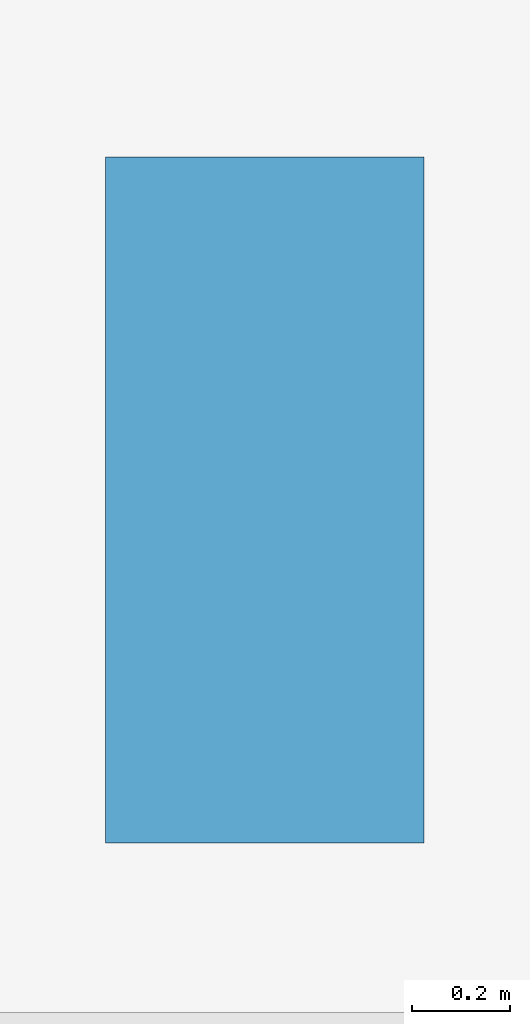
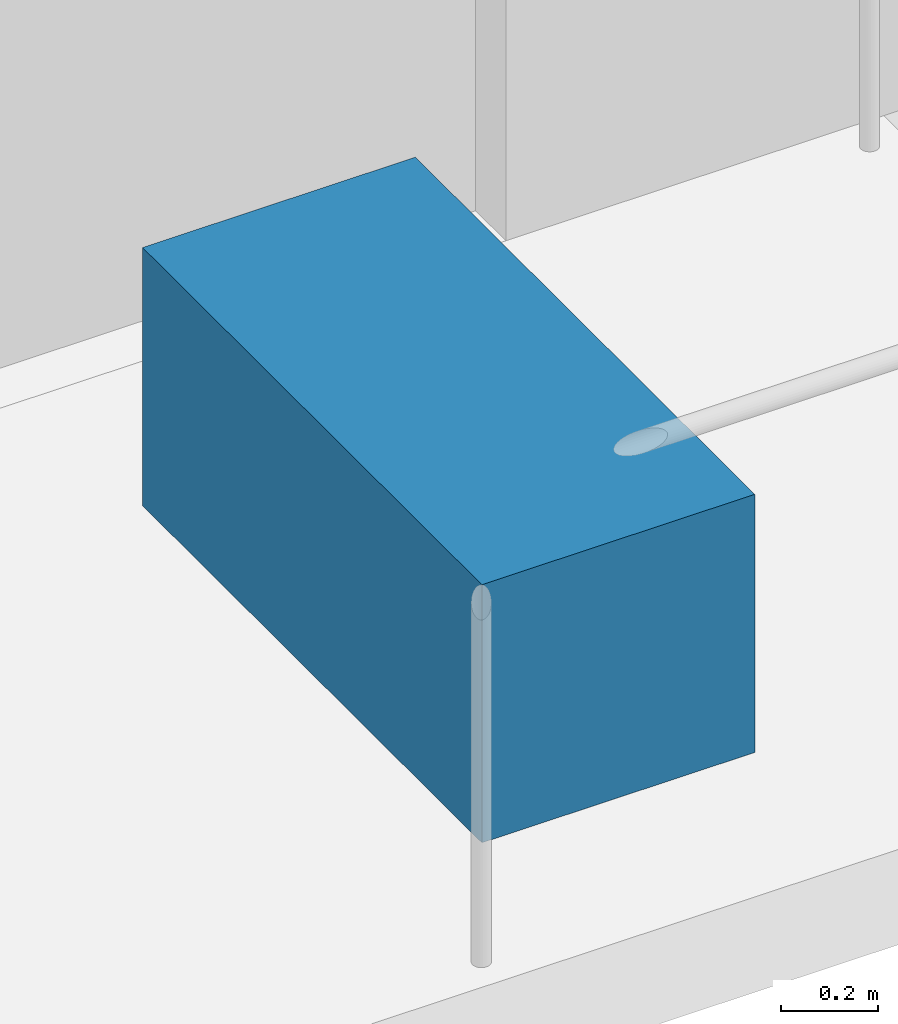
# One storey, part 7 of 10: 1 discrete accessory.
"""IFC4 building model written with IfcOpenShell, lengths in metres."""

from ifc_helpers import new_model, si_unit, direction, frame, origin, origin_2d, place, context, subcontext, project, spatial, rectangle, extrude, source, transform, mapped, material, type_object, element, save


model = new_model("IFC4")

# Units and contexts
model_context = context("Model", 3, precision=1e-05, world=origin(), true_north=direction((0.0, 1.0)))
body_context = subcontext(model_context, "Body", "Model", "MODEL_VIEW")
ifc_project = project(units=[si_unit("LENGTHUNIT", "METRE"), si_unit("AREAUNIT", "SQUARE_METRE"), si_unit("VOLUMEUNIT", "CUBIC_METRE"), si_unit("PLANEANGLEUNIT", "RADIAN"), si_unit("MASSUNIT", "GRAM", prefix="KILO")], contexts=[model_context])

# Site, building, storey
site_placement = place(None, origin())
site = spatial("IfcSite", under=ifc_project, at=site_placement, CompositionType="ELEMENT")
building_placement = place(site_placement, origin())
building = spatial("IfcBuilding", under=site, at=building_placement, Name="Calvemar Wedge Station Tower", CompositionType="ELEMENT")
storey_placement = place(building_placement, frame((0.0, 0.0, 256.5)))
storey = spatial("IfcBuildingStorey", under=building, at=storey_placement, Name="L65", CompositionType="ELEMENT", Elevation=256.5)

# Discrete accessory
ifc_material = material(Name="Precast concrete C45", Category="concrete")
discrete_accessory_type = type_object("IfcDiscreteAccessoryType", Name="ACC-PLANTER", PredefinedType="USERDEFINED", material=ifc_material)
shared_shape = source(origin(), body_context, "Body", "SweptSolid", [
    extrude(rectangle(XDim=0.64990234375, YDim=1.39990234375, at=origin_2d()), origin(), (0.0, 0.0, 1.0), 0.64990234375),
])
discrete_accessory_placement = place(storey_placement, frame((17.681884765625, 16.64990234375, 0.0), z_axis=(0.0, 0.0, 1.0), x_axis=(1.0, 0.0, 0.0)))
element("IfcDiscreteAccessory", 1, at=discrete_accessory_placement, inside=storey, type_object=discrete_accessory_type, Name="Storey L65 Planted Terrace GFRC Planter", ObjectType="PLANTER", PredefinedType="USERDEFINED", context=body_context, shape_type="MappedRepresentation", body=[
    mapped(shared_shape, transform((0.0, 0.0, 0.0), scale=1.0)),
])

save(model, "model.ifc")
